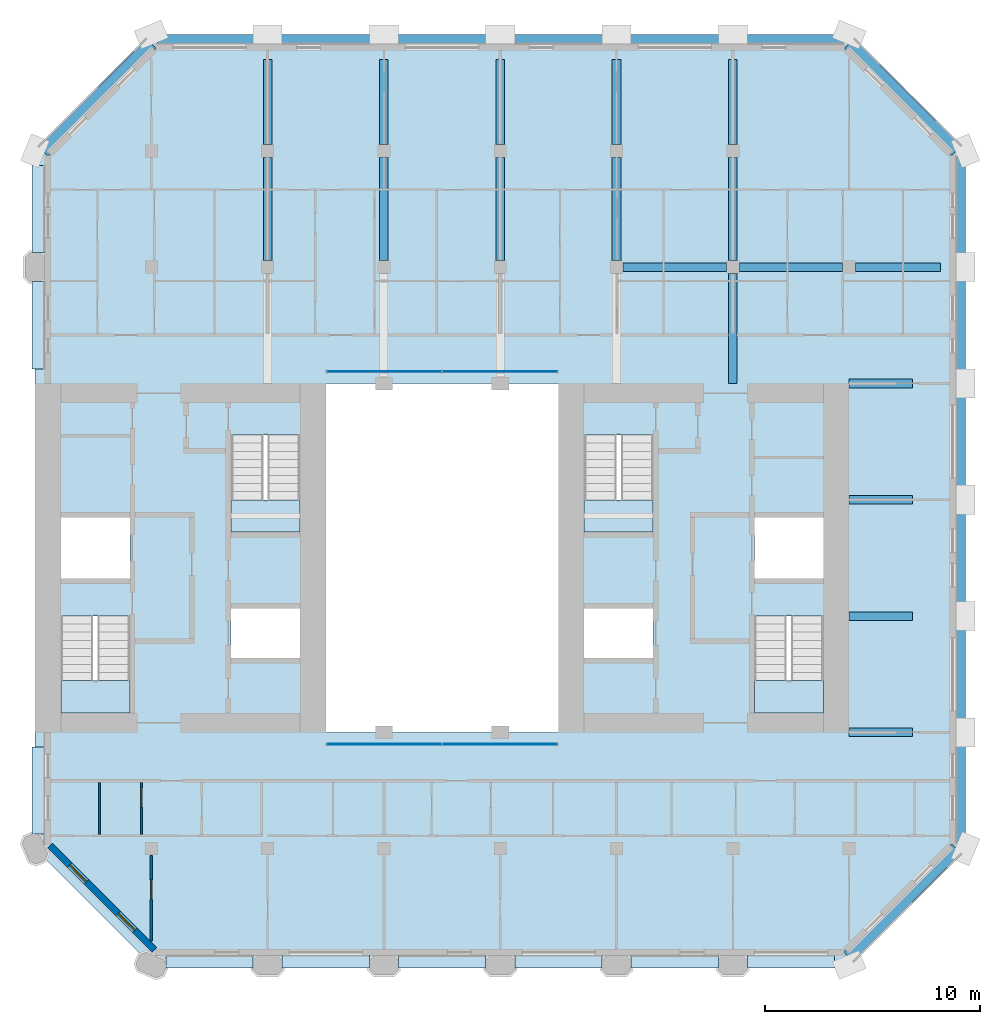
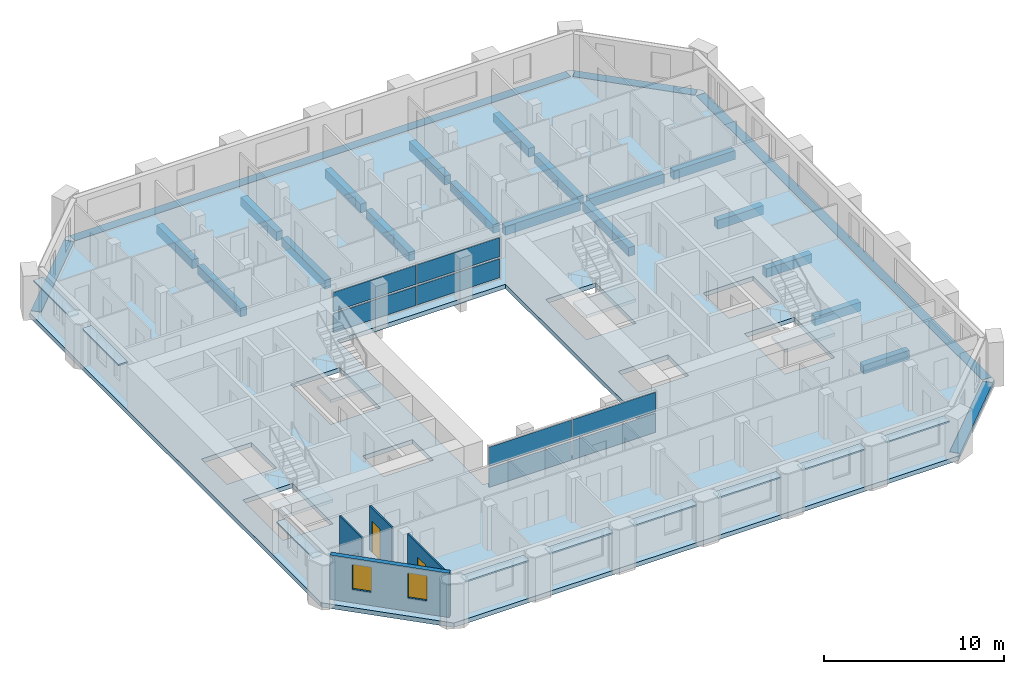
# One storey, part 3 of 13: 23 beams, 17 plates, 5 slabs, 4 walls, 2 doors, 2 windows, 4 openings, 6 elements without a shape of their own.
"""IFC4 building model written with IfcOpenShell, lengths in metres."""

from ifc_helpers import new_model, si_unit, direction, frame, frame_2d, origin, origin_2d, place, context, subcontext, project, spatial, polyline, rectangle, outline, extrude, material, layer, layer_set, material_profile, profile_set, type_object, element, fill, aggregate, save


model = new_model("IFC4")

# Units and contexts
model_context = context("Model", 3, precision=1e-05, world=origin(), true_north=direction((0.0, 1.0)))
body_context = subcontext(model_context, "Body", "Model", "MODEL_VIEW")
ifc_project = project(units=[si_unit("LENGTHUNIT", "METRE"), si_unit("AREAUNIT", "SQUARE_METRE"), si_unit("VOLUMEUNIT", "CUBIC_METRE"), si_unit("PLANEANGLEUNIT", "RADIAN"), si_unit("MASSUNIT", "GRAM", prefix="KILO")], contexts=[model_context])

# Site, building, storey
site_placement = place(None, origin())
site = spatial("IfcSite", under=ifc_project, at=site_placement, CompositionType="ELEMENT")
building_placement = place(site_placement, origin())
building = spatial("IfcBuilding", under=site, at=building_placement, Name="Tabaq Tower and Sports Hall", CompositionType="ELEMENT")
storey_placement = place(building_placement, frame((0.0, 0.0, 291.699951171875)))
storey = spatial("IfcBuildingStorey", under=building, at=storey_placement, Name="L72", CompositionType="ELEMENT", Elevation=291.699951171875)

# Beams
ifc_material_1 = material(Name="Concrete C40/50", Category="concrete")
ifc_material_profile_1 = material_profile(ifc_material_1, rectangle(XDim=0.39990234375, YDim=0.60009765625, at=origin_2d()), Name="CB 400x600")
ifc_profile_set_1 = profile_set([ifc_material_profile_1], Name="Concrete C40/50")
beam_type_1 = type_object("IfcBeamType", Name="PT CANTILEVER BEAM CB 400x600 C40/50", PredefinedType="BEAM", material=ifc_profile_set_1)
for number, where, z_axis, x_axis, name in (
    (1, (46.14990234375, 16.199951171875, -0.599853515625), (-1.0, 0.0, 0.0), (0.0, -1.0, 0.0), "Cantilever Beam L72 E3 span 1"),
    (2, (46.14990234375, 21.60009765625, -0.599853515625), (-1.0, 0.0, 0.0), (0.0, -1.0, 0.0), "Cantilever Beam L72 E4 span 1"),
    (3, (46.14990234375, 27.0, -0.599853515625), (-1.0, 0.0, 0.0), (0.0, -1.0, 0.0), "Cantilever Beam L72 E5 span 1"),
    (4, (46.14990234375, 32.39990234375, -0.599853515625), (-1.0, 0.0, 0.0), (0.0, -1.0, 0.0), "Cantilever Beam L72 E6 span 1"),
):
    element("IfcBeam", number, at=place(storey_placement, frame(where, z_axis=z_axis, x_axis=x_axis)), inside=storey, type_object=beam_type_1, Name=name, PredefinedType="BEAM", context=body_context, shape_type="SweptSolid", body=[
        extrude(rectangle(XDim=0.39990234375, YDim=0.60009765625, at=origin_2d()), origin(), (0.0, 0.0, 1.0), 2.949951171875),
    ])
beam_1_placement = place(storey_placement, frame((47.449951171875, 37.800048828125, -0.599853515625), z_axis=(-1.0, 0.0, 0.0), x_axis=(0.0, -1.0, 0.0)))
element("IfcBeam", 5, at=beam_1_placement, inside=storey, type_object=beam_type_1, Name="Cantilever Beam L72 E7 span 1", PredefinedType="BEAM", context=body_context, shape_type="SweptSolid", body=[
    extrude(rectangle(XDim=0.39990234375, YDim=0.60009765625, at=origin_2d()), origin(), (0.0, 0.0, 1.0), 3.949951171875),
])
beam_2_placement = place(storey_placement, frame((42.89990234375, 37.800048828125, -0.599853515625), z_axis=(-1.0, 0.0, 0.0), x_axis=(0.0, -1.0, 0.0)))
element("IfcBeam", 6, at=beam_2_placement, inside=storey, type_object=beam_type_1, Name="Cantilever Beam L72 E7 span 2", PredefinedType="BEAM", context=body_context, shape_type="SweptSolid", body=[
    extrude(rectangle(XDim=0.39990234375, YDim=0.60009765625, at=origin_2d()), origin(), (0.0, 0.0, 1.0), 4.7998046875),
])
beam_3_placement = place(storey_placement, frame((37.5, 37.800048828125, -0.599853515625), z_axis=(-1.0, 0.0, 0.0), x_axis=(0.0, -1.0, 0.0)))
element("IfcBeam", 7, at=beam_3_placement, inside=storey, type_object=beam_type_1, Name="Cantilever Beam L72 E7 span 3", PredefinedType="BEAM", context=body_context, shape_type="SweptSolid", body=[
    extrude(rectangle(XDim=0.39990234375, YDim=0.60009765625, at=origin_2d()), origin(), (0.0, 0.0, 1.0), 4.800048828125),
])
beam_4_placement = place(storey_placement, frame((16.199951171875, 47.449951171875, -0.599853515625), z_axis=(0.0, -1.0, 0.0), x_axis=(1.0, 0.0, 0.0)))
element("IfcBeam", 8, at=beam_4_placement, inside=storey, type_object=beam_type_1, Name="Cantilever Beam L72 N3 span 1", PredefinedType="BEAM", context=body_context, shape_type="SweptSolid", body=[
    extrude(rectangle(XDim=0.39990234375, YDim=0.60009765625, at=origin_2d()), origin(), (0.0, 0.0, 1.0), 3.949951171875),
])
beam_5_placement = place(storey_placement, frame((16.199951171875, 42.89990234375, -0.599853515625), z_axis=(0.0, -1.0, 0.0), x_axis=(1.0, 0.0, 0.0)))
element("IfcBeam", 9, at=beam_5_placement, inside=storey, type_object=beam_type_1, Name="Cantilever Beam L72 N3 span 2", PredefinedType="BEAM", context=body_context, shape_type="SweptSolid", body=[
    extrude(rectangle(XDim=0.39990234375, YDim=0.60009765625, at=origin_2d()), origin(), (0.0, 0.0, 1.0), 4.7998046875),
])
beam_6_placement = place(storey_placement, frame((21.60009765625, 47.449951171875, -0.599853515625), z_axis=(0.0, -1.0, 0.0), x_axis=(1.0, 0.0, 0.0)))
element("IfcBeam", 10, at=beam_6_placement, inside=storey, type_object=beam_type_1, Name="Cantilever Beam L72 N4 span 1", PredefinedType="BEAM", context=body_context, shape_type="SweptSolid", body=[
    extrude(rectangle(XDim=0.39990234375, YDim=0.60009765625, at=origin_2d()), origin(), (0.0, 0.0, 1.0), 3.949951171875),
])
beam_7_placement = place(storey_placement, frame((21.60009765625, 42.89990234375, -0.599853515625), z_axis=(0.0, -1.0, 0.0), x_axis=(1.0, 0.0, 0.0)))
element("IfcBeam", 11, at=beam_7_placement, inside=storey, type_object=beam_type_1, Name="Cantilever Beam L72 N4 span 2", PredefinedType="BEAM", context=body_context, shape_type="SweptSolid", body=[
    extrude(rectangle(XDim=0.39990234375, YDim=0.60009765625, at=origin_2d()), origin(), (0.0, 0.0, 1.0), 4.7998046875),
])
beam_8_placement = place(storey_placement, frame((27.0, 47.449951171875, -0.599853515625), z_axis=(0.0, -1.0, 0.0), x_axis=(1.0, 0.0, 0.0)))
element("IfcBeam", 12, at=beam_8_placement, inside=storey, type_object=beam_type_1, Name="Cantilever Beam L72 N5 span 1", PredefinedType="BEAM", context=body_context, shape_type="SweptSolid", body=[
    extrude(rectangle(XDim=0.39990234375, YDim=0.60009765625, at=origin_2d()), origin(), (0.0, 0.0, 1.0), 3.949951171875),
])
beam_9_placement = place(storey_placement, frame((27.0, 42.89990234375, -0.599853515625), z_axis=(0.0, -1.0, 0.0), x_axis=(1.0, 0.0, 0.0)))
element("IfcBeam", 13, at=beam_9_placement, inside=storey, type_object=beam_type_1, Name="Cantilever Beam L72 N5 span 2", PredefinedType="BEAM", context=body_context, shape_type="SweptSolid", body=[
    extrude(rectangle(XDim=0.39990234375, YDim=0.60009765625, at=origin_2d()), origin(), (0.0, 0.0, 1.0), 4.7998046875),
])
beam_10_placement = place(storey_placement, frame((32.39990234375, 47.449951171875, -0.599853515625), z_axis=(0.0, -1.0, 0.0), x_axis=(1.0, 0.0, 0.0)))
element("IfcBeam", 14, at=beam_10_placement, inside=storey, type_object=beam_type_1, Name="Cantilever Beam L72 N6 span 1", PredefinedType="BEAM", context=body_context, shape_type="SweptSolid", body=[
    extrude(rectangle(XDim=0.39990234375, YDim=0.60009765625, at=origin_2d()), origin(), (0.0, 0.0, 1.0), 3.949951171875),
])
beam_11_placement = place(storey_placement, frame((32.39990234375, 42.89990234375, -0.599853515625), z_axis=(0.0, -1.0, 0.0), x_axis=(1.0, 0.0, 0.0)))
element("IfcBeam", 15, at=beam_11_placement, inside=storey, type_object=beam_type_1, Name="Cantilever Beam L72 N6 span 2", PredefinedType="BEAM", context=body_context, shape_type="SweptSolid", body=[
    extrude(rectangle(XDim=0.39990234375, YDim=0.60009765625, at=origin_2d()), origin(), (0.0, 0.0, 1.0), 4.7998046875),
])
beam_12_placement = place(storey_placement, frame((37.800048828125, 47.449951171875, -0.599853515625), z_axis=(0.0, -1.0, 0.0), x_axis=(1.0, 0.0, 0.0)))
element("IfcBeam", 16, at=beam_12_placement, inside=storey, type_object=beam_type_1, Name="Cantilever Beam L72 N7 span 1", PredefinedType="BEAM", context=body_context, shape_type="SweptSolid", body=[
    extrude(rectangle(XDim=0.39990234375, YDim=0.60009765625, at=origin_2d()), origin(), (0.0, 0.0, 1.0), 3.949951171875),
])
beam_13_placement = place(storey_placement, frame((37.800048828125, 42.89990234375, -0.599853515625), z_axis=(0.0, -1.0, 0.0), x_axis=(1.0, 0.0, 0.0)))
element("IfcBeam", 17, at=beam_13_placement, inside=storey, type_object=beam_type_1, Name="Cantilever Beam L72 N7 span 2", PredefinedType="BEAM", context=body_context, shape_type="SweptSolid", body=[
    extrude(rectangle(XDim=0.39990234375, YDim=0.60009765625, at=origin_2d()), origin(), (0.0, 0.0, 1.0), 4.7998046875),
])
beam_14_placement = place(storey_placement, frame((37.800048828125, 37.5, -0.599853515625), z_axis=(0.0, -1.0, 0.0), x_axis=(1.0, 0.0, 0.0)))
element("IfcBeam", 18, at=beam_14_placement, inside=storey, type_object=beam_type_1, Name="Cantilever Beam L72 N7 span 3", PredefinedType="BEAM", context=body_context, shape_type="SweptSolid", body=[
    extrude(rectangle(XDim=0.39990234375, YDim=0.60009765625, at=origin_2d()), origin(), (0.0, 0.0, 1.0), 5.10009765625),
])
ifc_material_2 = material(Name="Concrete C40/50", Category="concrete")
ifc_material_profile_2 = material_profile(ifc_material_2, rectangle(XDim=0.60009765625, YDim=0.300048828125, at=origin_2d()), Name="EB 600x300")
ifc_profile_set_2 = profile_set([ifc_material_profile_2], Name="Concrete C40/50")
beam_type_2 = type_object("IfcBeamType", Name="PT EDGE BEAM EB 600x300 C40/50", PredefinedType="SPANDREL", material=ifc_profile_set_2)
beam_15_placement = place(storey_placement, frame((43.16455078125, 5.788818359375, -0.14990234375), z_axis=(0.707106781187, 0.707106781187, 0.0), x_axis=(-0.707106781187, 0.707106781187, 0.0)))
element("IfcBeam", 19, at=beam_15_placement, inside=storey, type_object=beam_type_2, Name="Edge Beam L72 1", PredefinedType="SPANDREL", context=body_context, shape_type="SweptSolid", body=[
    extrude(rectangle(XDim=0.60009765625, YDim=0.300048828125, at=origin_2d()), origin(), (0.0, 0.0, 1.0), 7.08837890625),
])
beam_16_placement = place(storey_placement, frame((48.300048828125, 11.0986328125, -0.14990234375), z_axis=(0.0, 1.0, 0.0), x_axis=(-1.0, 0.0, 0.0)))
element("IfcBeam", 20, at=beam_16_placement, inside=storey, type_object=beam_type_2, Name="Edge Beam L72 2", PredefinedType="SPANDREL", context=body_context, shape_type="SweptSolid", body=[
    extrude(rectangle(XDim=0.60009765625, YDim=0.300048828125, at=origin_2d()), origin(), (0.0, 0.0, 1.0), 31.802734375),
])
beam_17_placement = place(storey_placement, frame((48.1767578125, 43.198974609375, -0.14990234375), z_axis=(-0.707106781187, 0.707106781187, 0.0), x_axis=(-0.707106781187, -0.707106781187, 0.0)))
element("IfcBeam", 21, at=beam_17_placement, inside=storey, type_object=beam_type_2, Name="Edge Beam L72 3", PredefinedType="SPANDREL", context=body_context, shape_type="SweptSolid", body=[
    extrude(rectangle(XDim=0.60009765625, YDim=0.300048828125, at=origin_2d()), origin(), (0.0, 0.0, 1.0), 7.03955078125),
])
beam_18_placement = place(storey_placement, frame((42.9013671875, 48.300048828125, -0.14990234375), z_axis=(-1.0, 0.0, 0.0), x_axis=(0.0, -1.0, 0.0)))
element("IfcBeam", 22, at=beam_18_placement, inside=storey, type_object=beam_type_2, Name="Edge Beam L72 4", PredefinedType="SPANDREL", context=body_context, shape_type="SweptSolid", body=[
    extrude(rectangle(XDim=0.60009765625, YDim=0.300048828125, at=origin_2d()), origin(), (0.0, 0.0, 1.0), 31.802734375),
])
beam_19_placement = place(storey_placement, frame((10.801025390625, 48.1767578125, -0.14990234375), z_axis=(-0.707106781187, -0.707106781187, 0.0), x_axis=(0.707106781187, -0.707106781187, 0.0)))
element("IfcBeam", 23, at=beam_19_placement, inside=storey, type_object=beam_type_2, Name="Edge Beam L72 5", PredefinedType="SPANDREL", context=body_context, shape_type="SweptSolid", body=[
    extrude(rectangle(XDim=0.60009765625, YDim=0.300048828125, at=origin_2d()), origin(), (0.0, 0.0, 1.0), 7.08837890625),
])

# Curtain wall, plates
ifc_material_3 = material(Name="Aluminium alloy 6063-T6 framed glazing", Category="aluminium")
curtain_wall_type = type_object("IfcCurtainWallType", Name="CW1 curtain wall", PredefinedType="USERDEFINED", material=ifc_material_3)
curtain_wall_1_placement = place(storey_placement, origin())
curtain_wall_1 = element("IfcCurtainWall", 24, at=curtain_wall_1_placement, inside=storey, type_object=curtain_wall_type, Name="Atrium glazing L72 S", ObjectType="ATRIUM ENCLOSURE", PredefinedType="USERDEFINED")
ifc_material_4 = material(Name="Clear low-emissivity glass 28 mm", Category="glass")
ifc_layer_1 = layer(ifc_material_4, 0.028076171875)
ifc_layer_set_1 = layer_set([ifc_layer_1], Name="CW1 glass panel 28")
plate_type_1 = type_object("IfcPlateType", Name="CW1 glass panel 28", PredefinedType="CURTAIN_PANEL", material=ifc_layer_set_1)
plate_1_placement = place(storey_placement, frame((21.614990234375, 15.64990234375, 0.14013671875), z_axis=(0.0, 0.0, 1.0), x_axis=(1.0, 0.0, 0.0)))
plate_1 = element("IfcPlate", 25, at=plate_1_placement, type_object=plate_type_1, Name="CW1 panel 1.1", PredefinedType="CURTAIN_PANEL", context=body_context, shape_type="SweptSolid", body=[
    extrude(rectangle(XDim=5.31005859375, YDim=0.028076171875, at=origin_2d()), origin(), (0.0, 0.0, 1.0), 1.2900390625),
])
plate_2_placement = place(storey_placement, frame((21.614990234375, 15.64990234375, 1.570068359375), z_axis=(0.0, 0.0, 1.0), x_axis=(1.0, 0.0, 0.0)))
plate_2 = element("IfcPlate", 26, at=plate_2_placement, type_object=plate_type_1, Name="CW1 panel 1.2", PredefinedType="CURTAIN_PANEL", context=body_context, shape_type="SweptSolid", body=[
    extrude(rectangle(XDim=5.31005859375, YDim=0.028076171875, at=origin_2d()), origin(), (0.0, 0.0, 1.0), 1.2900390625),
])
plate_3_placement = place(storey_placement, frame((26.985107421875, 15.64990234375, 0.14013671875), z_axis=(0.0, 0.0, 1.0), x_axis=(1.0, 0.0, 0.0)))
plate_3 = element("IfcPlate", 27, at=plate_3_placement, type_object=plate_type_1, Name="CW1 panel 2.1", PredefinedType="CURTAIN_PANEL", context=body_context, shape_type="SweptSolid", body=[
    extrude(rectangle(XDim=5.31005859375, YDim=0.028076171875, at=origin_2d()), origin(), (0.0, 0.0, 1.0), 1.2900390625),
])
plate_4_placement = place(storey_placement, frame((26.985107421875, 15.64990234375, 1.570068359375), z_axis=(0.0, 0.0, 1.0), x_axis=(1.0, 0.0, 0.0)))
plate_4 = element("IfcPlate", 28, at=plate_4_placement, type_object=plate_type_1, Name="CW1 panel 2.2", PredefinedType="CURTAIN_PANEL", context=body_context, shape_type="SweptSolid", body=[
    extrude(rectangle(XDim=5.31005859375, YDim=0.028076171875, at=origin_2d()), origin(), (0.0, 0.0, 1.0), 1.2900390625),
])
aggregate(curtain_wall_1, [plate_1, plate_2, plate_3, plate_4])

curtain_wall_2_placement = place(storey_placement, origin())
curtain_wall_2 = element("IfcCurtainWall", 29, at=curtain_wall_2_placement, inside=storey, type_object=curtain_wall_type, Name="Atrium glazing L72 N", ObjectType="ATRIUM ENCLOSURE", PredefinedType="USERDEFINED")
plate_5_placement = place(storey_placement, frame((21.614990234375, 32.949951171875, 0.14013671875), z_axis=(0.0, 0.0, 1.0), x_axis=(1.0, 0.0, 0.0)))
plate_5 = element("IfcPlate", 30, at=plate_5_placement, type_object=plate_type_1, Name="CW1 panel 1.1", PredefinedType="CURTAIN_PANEL", context=body_context, shape_type="SweptSolid", body=[
    extrude(rectangle(XDim=5.31005859375, YDim=0.028076171875, at=origin_2d()), origin(), (0.0, 0.0, 1.0), 1.2900390625),
])
plate_6_placement = place(storey_placement, frame((21.614990234375, 32.949951171875, 1.570068359375), z_axis=(0.0, 0.0, 1.0), x_axis=(1.0, 0.0, 0.0)))
plate_6 = element("IfcPlate", 31, at=plate_6_placement, type_object=plate_type_1, Name="CW1 panel 1.2", PredefinedType="CURTAIN_PANEL", context=body_context, shape_type="SweptSolid", body=[
    extrude(rectangle(XDim=5.31005859375, YDim=0.028076171875, at=origin_2d()), origin(), (0.0, 0.0, 1.0), 1.2900390625),
])
plate_7_placement = place(storey_placement, frame((26.985107421875, 32.949951171875, 0.14013671875), z_axis=(0.0, 0.0, 1.0), x_axis=(1.0, 0.0, 0.0)))
plate_7 = element("IfcPlate", 32, at=plate_7_placement, type_object=plate_type_1, Name="CW1 panel 2.1", PredefinedType="CURTAIN_PANEL", context=body_context, shape_type="SweptSolid", body=[
    extrude(rectangle(XDim=5.31005859375, YDim=0.028076171875, at=origin_2d()), origin(), (0.0, 0.0, 1.0), 1.2900390625),
])
plate_8_placement = place(storey_placement, frame((26.985107421875, 32.949951171875, 1.570068359375), z_axis=(0.0, 0.0, 1.0), x_axis=(1.0, 0.0, 0.0)))
plate_8 = element("IfcPlate", 33, at=plate_8_placement, type_object=plate_type_1, Name="CW1 panel 2.2", PredefinedType="CURTAIN_PANEL", context=body_context, shape_type="SweptSolid", body=[
    extrude(rectangle(XDim=5.31005859375, YDim=0.028076171875, at=origin_2d()), origin(), (0.0, 0.0, 1.0), 1.2900390625),
])
aggregate(curtain_wall_2, [plate_5, plate_6, plate_7, plate_8])

# Stair, slab
ifc_material_5 = material(Name="Concrete C40/50", Category="concrete")
stair_type = type_object("IfcStairType", Name="Exit stair", PredefinedType="HALF_TURN_STAIR", material=ifc_material_5)
stair_1_placement = place(storey_placement, origin())
stair_1 = element("IfcStair", 34, at=stair_1_placement, inside=storey, type_object=stair_type, Name="L72 Exit stair ST1", PredefinedType="HALF_TURN_STAIR")
ifc_material_6 = material(Name="Concrete C40/50", Category="concrete")
ifc_layer_2 = layer(ifc_material_6, 0.199951171875)
ifc_layer_set_2 = layer_set([ifc_layer_2], Name="Exit stair landing")
slab_type_1 = type_object("IfcSlabType", Name="Exit stair landing", PredefinedType="LANDING", material=ifc_layer_set_2)
slab_1_placement = place(storey_placement, frame((0.0, 0.0, 1.449951171875)))
slab_1 = element("IfcSlab", 35, at=slab_1_placement, type_object=slab_type_1, Name="ST1 landing 1", PredefinedType="LANDING", context=body_context, shape_type="SweptSolid", body=[
    extrude(outline(polyline([(6.60009765625, 18.60009765625), (6.60009765625, 17.10009765625), (9.800048828125, 17.10009765625), (9.800048828125, 18.60009765625), (6.60009765625, 18.60009765625)])), origin(), (0.0, 0.0, 1.0), 0.2001953125),
])
aggregate(stair_1, [slab_1])

stair_2_placement = place(storey_placement, origin())
stair_2 = element("IfcStair", 36, at=stair_2_placement, inside=storey, type_object=stair_type, Name="L72 Exit stair ST2", PredefinedType="HALF_TURN_STAIR")
slab_2_placement = place(storey_placement, frame((0.0, 0.0, 1.449951171875)))
slab_2 = element("IfcSlab", 37, at=slab_2_placement, type_object=slab_type_1, Name="ST2 landing 1", PredefinedType="LANDING", context=body_context, shape_type="SweptSolid", body=[
    extrude(outline(polyline([(14.5, 27.0), (14.5, 25.5), (17.699951171875, 25.5), (17.699951171875, 27.0), (14.5, 27.0)])), origin(), (0.0, 0.0, 1.0), 0.2001953125),
])
aggregate(stair_2, [slab_2])

stair_3_placement = place(storey_placement, origin())
stair_3 = element("IfcStair", 38, at=stair_3_placement, inside=storey, type_object=stair_type, Name="L72 Exit stair ST3", PredefinedType="HALF_TURN_STAIR")
slab_3_placement = place(storey_placement, frame((0.0, 0.0, 1.449951171875)))
slab_3 = element("IfcSlab", 39, at=slab_3_placement, type_object=slab_type_1, Name="ST3 landing 1", PredefinedType="LANDING", context=body_context, shape_type="SweptSolid", body=[
    extrude(outline(polyline([(38.800048828125, 18.60009765625), (38.800048828125, 17.10009765625), (42.0, 17.10009765625), (42.0, 18.60009765625), (38.800048828125, 18.60009765625)])), origin(), (0.0, 0.0, 1.0), 0.2001953125),
])
aggregate(stair_3, [slab_3])

stair_4_placement = place(storey_placement, origin())
stair_4 = element("IfcStair", 40, at=stair_4_placement, inside=storey, type_object=stair_type, Name="L72 Exit stair ST4", PredefinedType="HALF_TURN_STAIR")
slab_4_placement = place(storey_placement, frame((0.0, 0.0, 1.449951171875)))
slab_4 = element("IfcSlab", 41, at=slab_4_placement, type_object=slab_type_1, Name="ST4 landing 1", PredefinedType="LANDING", context=body_context, shape_type="SweptSolid", body=[
    extrude(outline(polyline([(30.89990234375, 27.0), (30.89990234375, 25.5), (34.10009765625, 25.5), (34.10009765625, 27.0), (30.89990234375, 27.0)])), origin(), (0.0, 0.0, 1.0), 0.2001953125),
])
aggregate(stair_4, [slab_4])

# Slab
ifc_material_7 = material(Name="Concrete C40/50", Category="concrete")
ifc_layer_3 = layer(ifc_material_7, 0.300048828125)
ifc_layer_set_3 = layer_set([ifc_layer_3], Name="PT FLOOR SLAB 300 C40/50")
slab_type_2 = type_object("IfcSlabType", Name="PT FLOOR SLAB 300 C40/50", PredefinedType="FLOOR", material=ifc_layer_set_3)
slab_5_placement = place(storey_placement, frame((0.0, 0.0, -0.300048828125)))
element("IfcSlab", 42, at=slab_5_placement, inside=storey, type_object=slab_type_2, Name="Floor Slab L72", PredefinedType="FLOOR", context=body_context, shape_type="SweptSolid", body=[
    extrude(outline(polyline([(5.39990234375, 43.199951171875), (5.39990234375, 10.800048828125), (10.800048828125, 5.39990234375), (43.199951171875, 5.39990234375), (43.376708984375, 5.57666015625), (42.952392578125, 6.0009765625), (47.964599609375, 11.01318359375), (48.035400390625, 10.9423828125), (48.388916015625, 10.5888671875), (48.60009765625, 10.800048828125), (48.60009765625, 11.0986328125), (48.10009765625, 11.0986328125), (48.0, 11.0986328125), (48.0, 42.9013671875), (48.10009765625, 42.9013671875), (48.60009765625, 42.9013671875), (48.60009765625, 43.199951171875), (48.388916015625, 43.4111328125), (48.035400390625, 43.0576171875), (47.964599609375, 42.98681640625), (42.98681640625, 47.964599609375), (43.0576171875, 48.035400390625), (43.4111328125, 48.388916015625), (43.199951171875, 48.60009765625), (42.9013671875, 48.60009765625), (42.9013671875, 48.10009765625), (42.9013671875, 48.0), (11.0986328125, 48.0), (11.0986328125, 48.10009765625), (11.0986328125, 48.60009765625), (10.800048828125, 48.60009765625), (10.5888671875, 48.388916015625), (10.9423828125, 48.035400390625), (11.01318359375, 47.964599609375), (6.0009765625, 42.952392578125), (5.57666015625, 43.376708984375), (5.39990234375, 43.199951171875)]), holes=[polyline([(6.60009765625, 21.599365234375), (9.800048828125, 21.599365234375), (9.800048828125, 17.10009765625), (6.60009765625, 17.10009765625), (6.60009765625, 21.599365234375)]), polyline([(38.800048828125, 21.599365234375), (42.0, 21.599365234375), (42.0, 17.10009765625), (38.800048828125, 17.10009765625), (38.800048828125, 21.599365234375)]), polyline([(14.5, 21.949951171875), (17.699951171875, 21.949951171875), (17.699951171875, 19.64990234375), (14.5, 19.64990234375), (14.5, 21.949951171875)]), polyline([(30.89990234375, 21.949951171875), (34.10009765625, 21.949951171875), (34.10009765625, 19.64990234375), (30.89990234375, 19.64990234375), (30.89990234375, 21.949951171875)]), polyline([(18.89990234375, 16.199951171875), (18.89990234375, 32.39990234375), (29.699951171875, 32.39990234375), (29.699951171875, 16.199951171875), (18.89990234375, 16.199951171875)]), polyline([(6.60009765625, 26.175048828125), (9.800048828125, 26.175048828125), (9.800048828125, 23.35009765625), (6.60009765625, 23.35009765625), (6.60009765625, 26.175048828125)]), polyline([(38.800048828125, 26.175048828125), (42.0, 26.175048828125), (42.0, 23.35009765625), (38.800048828125, 23.35009765625), (38.800048828125, 26.175048828125)]), polyline([(17.699951171875, 29.99951171875), (17.699951171875, 25.5), (14.5, 25.5), (14.5, 29.99951171875), (17.699951171875, 29.99951171875)]), polyline([(34.10009765625, 29.99951171875), (34.10009765625, 25.5), (30.89990234375, 25.5), (30.89990234375, 29.99951171875), (34.10009765625, 29.99951171875)])]), origin(), (0.0, 0.0, 1.0), 0.300048828125),
])

# Plates
ifc_material_8 = material(Name="White precast concrete C60/75 blade", Category="concrete")
ifc_layer_4 = layer(ifc_material_8, 0.10009765625)
ifc_layer_set_4 = layer_set([ifc_layer_4], Name="White precast concrete C60/75 sunshade 100")
plate_type_2 = type_object("IfcPlateType", Name="White precast concrete C60/75 sunshade 100", PredefinedType="USERDEFINED", material=ifc_layer_set_4)
for number, where, z_axis, x_axis, name in (
    (43, (13.5, 5.550048828125, 2.60009765625), (0.0, 0.0, 1.0), (1.0, 0.0, 0.0), "Sunshade L72 S"),
    (44, (18.89990234375, 5.550048828125, 2.60009765625), (0.0, 0.0, 1.0), (1.0, 0.0, 0.0), "Sunshade L72 S"),
    (45, (24.300048828125, 5.550048828125, 2.60009765625), (0.0, 0.0, 1.0), (1.0, 0.0, 0.0), "Sunshade L72 S"),
    (46, (29.699951171875, 5.550048828125, 2.60009765625), (0.0, 0.0, 1.0), (1.0, 0.0, 0.0), "Sunshade L72 S"),
    (47, (35.10009765625, 5.550048828125, 2.60009765625), (0.0, 0.0, 1.0), (1.0, 0.0, 0.0), "Sunshade L72 S"),
    (48, (40.5, 5.550048828125, 2.60009765625), (0.0, 0.0, 1.0), (1.0, 0.0, 0.0), "Sunshade L72 S"),
    (49, (5.550048828125, 40.5, 2.60009765625), (0.0, 0.0, 1.0), (0.0, -1.0, 0.0), "Sunshade L72 W"),
    (50, (5.550048828125, 35.10009765625, 2.60009765625), (0.0, 0.0, 1.0), (0.0, -1.0, 0.0), "Sunshade L72 W"),
    (51, (5.550048828125, 13.5, 2.60009765625), (0.0, 0.0, 1.0), (0.0, -1.0, 0.0), "Sunshade L72 W"),
):
    element("IfcPlate", number, at=place(storey_placement, frame(where, z_axis=z_axis, x_axis=x_axis)), inside=storey, type_object=plate_type_2, Name=name, ObjectType="SUNSHADE", PredefinedType="USERDEFINED", context=body_context, shape_type="SweptSolid", body=[
        extrude(rectangle(XDim=4.050048828125, YDim=0.60009765625, at=origin_2d()), origin(), (0.0, 0.0, 1.0), 0.10009765625),
    ])

# Wall, opening, door
ifc_material_9 = material(Name="Gypsum board on steel studs", Category="steel")
ifc_layer_5 = layer(ifc_material_9, 0.10009765625)
ifc_layer_set_5 = layer_set([ifc_layer_5], Name="Partition 100 Gypsum board")
wall_type_1 = type_object("IfcWallType", Name="Partition 100 Gypsum board", PredefinedType="PARTITIONING", material=ifc_layer_set_5)
wall_1_placement = place(storey_placement, frame((10.800048828125, 6.51220703125, 0.0), z_axis=(0.0, 0.0, 1.0), x_axis=(0.0, 1.0, 0.0)))
wall_1 = element("IfcWall", 52, at=wall_1_placement, inside=storey, type_object=wall_type_1, Name="Partition wall L72", PredefinedType="PARTITIONING", context=body_context, shape_type="SweptSolid", body=[
    extrude(rectangle(XDim=3.9677734375, YDim=0.10009765625, at=frame_2d((1.98388671875, 0.0))), origin(), (0.0, 0.0, 1.0), 3.0),
])
opening_1_placement = place(wall_1_placement, frame((1.93798828125, 0.0, 0.0)))
opening_1 = element("IfcOpeningElement", 53, at=opening_1_placement, cuts=wall_1, Name="Opening L72-047", PredefinedType="OPENING", context=body_context, shape_type="SweptSolid", body=[
    extrude(rectangle(XDim=0.89990234375, YDim=2.10009765625, at=frame_2d((0.449951171875, 1.050048828125))), frame((0.0, 0.050048828125, 0.0), z_axis=(0.0, -1.0, 0.0), x_axis=(1.0, 0.0, 0.0)), (0.0, 0.0, 1.0), 0.10009765625),
])
ifc_material_10 = material(Name="Timber leaf in steel frame", Category="steel")
door_type_1 = type_object("IfcDoorType", Name="Internal door 900 left hand", OperationType="SINGLE_SWING_LEFT", PredefinedType="DOOR", material=ifc_material_10)
door_1_placement = place(opening_1_placement, origin())
door_1 = element("IfcDoor", 54, at=door_1_placement, inside=storey, type_object=door_type_1, Name="Internal door L72-047", OperationType="SINGLE_SWING_LEFT", OverallHeight=2.10009765625, OverallWidth=0.89990234375, PredefinedType="DOOR", context=body_context, shape_type="SweptSolid", body=[
    extrude(rectangle(XDim=0.89990234375, YDim=2.10009765625, at=frame_2d((0.449951171875, 1.050048828125))), frame((0.0, 0.02490234375, 0.0), z_axis=(0.0, -1.0, 0.0), x_axis=(1.0, 0.0, 0.0)), (0.0, 0.0, 1.0), 0.050048828125),
])
fill(opening_1, door_1)

# Wall
wall_2_placement = place(storey_placement, frame((8.39990234375, 11.449951171875, 0.0), z_axis=(0.0, 0.0, 1.0), x_axis=(0.0, 1.0, 0.0)))
element("IfcWall", 55, at=wall_2_placement, inside=storey, type_object=wall_type_1, Name="Partition wall L72", PredefinedType="PARTITIONING", context=body_context, shape_type="SweptSolid", body=[
    extrude(rectangle(XDim=2.425048828125, YDim=0.10009765625, at=frame_2d((1.21240234375, 0.0))), origin(), (0.0, 0.0, 1.0), 3.0),
])

# Wall, opening, door
wall_3_placement = place(storey_placement, frame((10.340087890625, 11.449951171875, 0.0), z_axis=(0.0, 0.0, 1.0), x_axis=(0.0, 1.0, 0.0)))
wall_3 = element("IfcWall", 56, at=wall_3_placement, inside=storey, type_object=wall_type_1, Name="Partition wall L72", PredefinedType="PARTITIONING", context=body_context, shape_type="SweptSolid", body=[
    extrude(rectangle(XDim=2.425048828125, YDim=0.10009765625, at=frame_2d((1.21240234375, 0.0))), origin(), (0.0, 0.0, 1.0), 3.0),
])
opening_2_placement = place(wall_3_placement, frame((1.27490234375, 0.0, 0.0)))
opening_2 = element("IfcOpeningElement", 57, at=opening_2_placement, cuts=wall_3, Name="Opening L72-021", PredefinedType="OPENING", context=body_context, shape_type="SweptSolid", body=[
    extrude(rectangle(XDim=0.89990234375, YDim=2.10009765625, at=frame_2d((0.449951171875, 1.050048828125))), frame((0.0, 0.050048828125, 0.0), z_axis=(0.0, -1.0, 0.0), x_axis=(1.0, 0.0, 0.0)), (0.0, 0.0, 1.0), 0.10009765625),
])
ifc_material_11 = material(Name="Timber leaf in steel frame", Category="steel")
door_type_2 = type_object("IfcDoorType", Name="Internal door 900 right hand", OperationType="SINGLE_SWING_RIGHT", PredefinedType="DOOR", material=ifc_material_11)
door_2_placement = place(opening_2_placement, origin())
door_2 = element("IfcDoor", 58, at=door_2_placement, inside=storey, type_object=door_type_2, Name="Internal door L72-021", OperationType="SINGLE_SWING_RIGHT", OverallHeight=2.10009765625, OverallWidth=0.89990234375, PredefinedType="DOOR", context=body_context, shape_type="SweptSolid", body=[
    extrude(rectangle(XDim=0.89990234375, YDim=2.10009765625, at=frame_2d((0.449951171875, 1.050048828125))), frame((0.0, 0.02490234375, 0.0), z_axis=(0.0, -1.0, 0.0), x_axis=(1.0, 0.0, 0.0)), (0.0, 0.0, 1.0), 0.050048828125),
])
fill(opening_2, door_2)

# Wall, openings, windows
ifc_material_12 = material(Name="White precast concrete C60/75", Category="concrete")
ifc_layer_6 = layer(ifc_material_12, 0.300048828125)
ifc_layer_set_6 = layer_set([ifc_layer_6], Name="White precast concrete C60/75 external wall 300")
wall_type_2 = type_object("IfcWallType", Name="White precast concrete C60/75 external wall 300", PredefinedType="SOLIDWALL", material=ifc_layer_set_6)
wall_4_placement = place(storey_placement, frame((6.098876953125, 10.949462890625, 0.0), z_axis=(0.0, 0.0, 1.0), x_axis=(0.707106781187, -0.707106781187, 0.0)))
wall_4 = element("IfcWall", 59, at=wall_4_placement, inside=storey, type_object=wall_type_2, Name="External Wall L72 SW", PredefinedType="SOLIDWALL", context=body_context, shape_type="SweptSolid", body=[
    extrude(rectangle(XDim=6.85986328125, YDim=0.300048828125, at=frame_2d((3.429931640625, 0.0))), origin(), (0.0, 0.0, 1.0), 3.0),
])
opening_3_placement = place(wall_4_placement, frame((1.27978515625, 0.0, 0.89990234375)))
opening_3 = element("IfcOpeningElement", 60, at=opening_3_placement, cuts=wall_4, Name="Opening W1B", PredefinedType="OPENING", context=body_context, shape_type="SweptSolid", body=[
    extrude(rectangle(XDim=1.10009765625, YDim=1.699951171875, at=frame_2d((0.550048828125, 0.85009765625))), frame((0.0, 0.16015625, 0.0), z_axis=(0.0, -1.0, 0.0), x_axis=(1.0, 0.0, 0.0)), (0.0, 0.0, 1.0), 0.320068359375),
])
opening_4_placement = place(wall_4_placement, frame((4.479736328125, 0.0, 0.89990234375)))
opening_4 = element("IfcOpeningElement", 61, at=opening_4_placement, cuts=wall_4, Name="Opening W1B", PredefinedType="OPENING", context=body_context, shape_type="SweptSolid", body=[
    extrude(rectangle(XDim=1.10009765625, YDim=1.699951171875, at=frame_2d((0.550048828125, 0.85009765625))), frame((0.0, 0.16015625, 0.0), z_axis=(0.0, -1.0, 0.0), x_axis=(1.0, 0.0, 0.0)), (0.0, 0.0, 1.0), 0.320068359375),
])
ifc_material_13 = material(Name="Aluminium framed clear glazing", Category="aluminium")
window_type = type_object("IfcWindowType", Name="Window W1B", PartitioningType="SINGLE_PANEL", PredefinedType="WINDOW", material=ifc_material_13)
window_1_placement = place(opening_3_placement, origin())
window_1 = element("IfcWindow", 62, at=window_1_placement, inside=storey, type_object=window_type, Name="Window W1B L72", OverallHeight=1.699951171875, OverallWidth=1.10009765625, PartitioningType="SINGLE_PANEL", PredefinedType="WINDOW", context=body_context, shape_type="SweptSolid", body=[
    extrude(rectangle(XDim=1.10009765625, YDim=1.699951171875, at=frame_2d((0.550048828125, 0.85009765625))), frame((0.0, 0.030029296875, 0.0), z_axis=(0.0, -1.0, 0.0), x_axis=(1.0, 0.0, 0.0)), (0.0, 0.0, 1.0), 0.06005859375),
])
fill(opening_3, window_1)
window_2_placement = place(opening_4_placement, origin())
window_2 = element("IfcWindow", 63, at=window_2_placement, inside=storey, type_object=window_type, Name="Window W1B L72", OverallHeight=1.699951171875, OverallWidth=1.10009765625, PartitioningType="SINGLE_PANEL", PredefinedType="WINDOW", context=body_context, shape_type="SweptSolid", body=[
    extrude(rectangle(XDim=1.10009765625, YDim=1.699951171875, at=frame_2d((0.550048828125, 0.85009765625))), frame((0.0, 0.030029296875, 0.0), z_axis=(0.0, -1.0, 0.0), x_axis=(1.0, 0.0, 0.0)), (0.0, 0.0, 1.0), 0.06005859375),
])
fill(opening_4, window_2)

save(model, "model.ifc")
